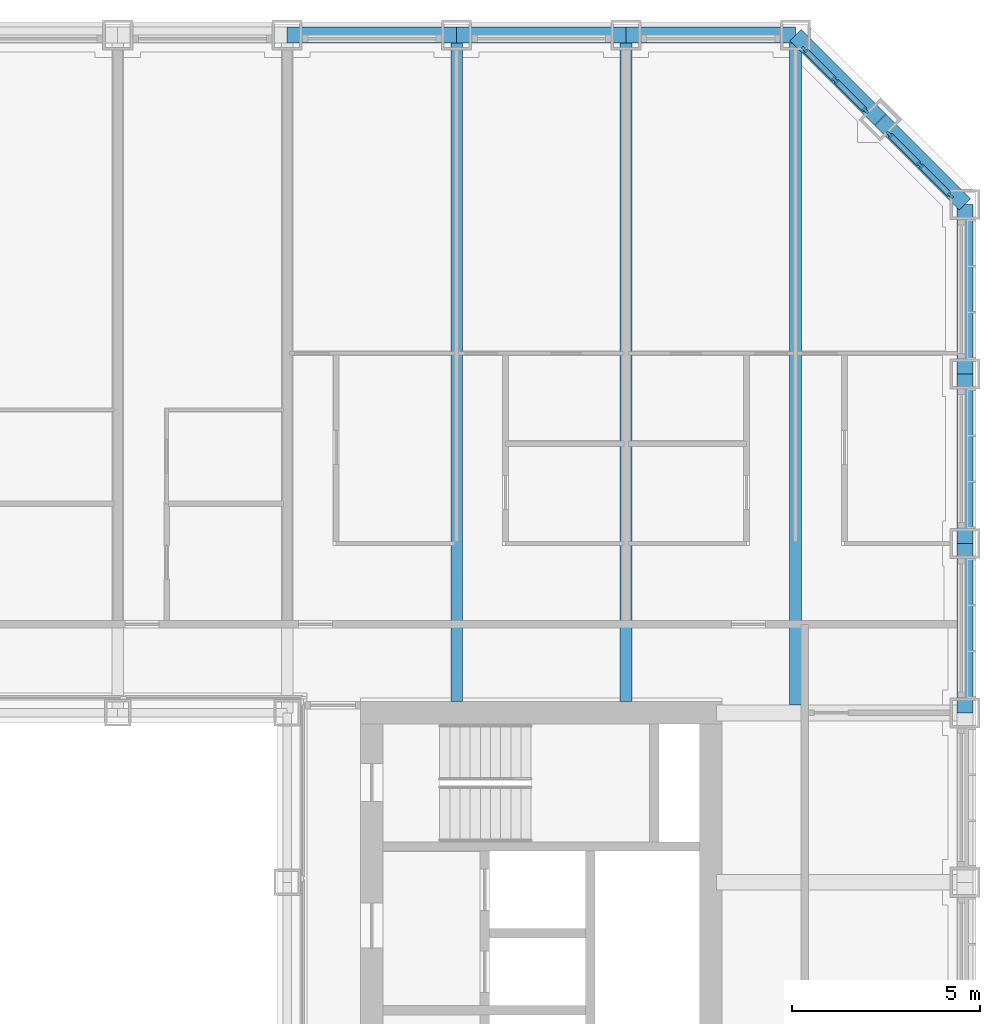
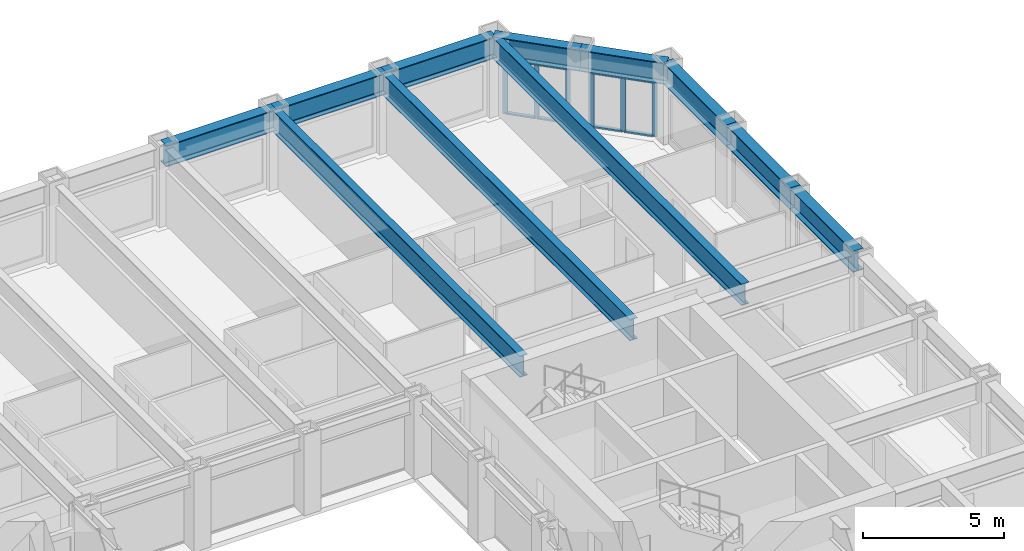
# One storey, part 7 of 21: 14 members, 11 beams, 2 elements without a shape of their own.
"""IFC4 building model written with IfcOpenShell, lengths in metres."""

from ifc_helpers import new_model, si_unit, direction, frame, origin, origin_2d, place, context, subcontext, project, spatial, rectangle, i_section, extrude, material, material_profile, profile_set, type_object, element, aggregate, save


model = new_model("IFC4")

# Units and contexts
model_context = context("Model", 3, precision=1e-05, world=origin(), true_north=direction((0.0, 1.0)))
body_context = subcontext(model_context, "Body", "Model", "MODEL_VIEW")
ifc_project = project(units=[si_unit("LENGTHUNIT", "METRE"), si_unit("AREAUNIT", "SQUARE_METRE"), si_unit("VOLUMEUNIT", "CUBIC_METRE"), si_unit("PLANEANGLEUNIT", "RADIAN"), si_unit("MASSUNIT", "GRAM", prefix="KILO")], contexts=[model_context])

# Site, building, storey
site_placement = place(None, origin())
site = spatial("IfcSite", under=ifc_project, at=site_placement, CompositionType="ELEMENT")
building_placement = place(site_placement, origin())
building = spatial("IfcBuilding", under=site, at=building_placement, Name="Msasa Ring Tower", CompositionType="ELEMENT")
storey_placement = place(building_placement, frame((0.0, 0.0, 44.0)))
storey = spatial("IfcBuildingStorey", under=building, at=storey_placement, Name="L10", CompositionType="ELEMENT", Elevation=44.0)

# Curtain wall, members
ifc_material_1 = material(Name="Aluminium curtain wall with clear glass", Category="aluminium")
curtain_wall_type = type_object("IfcCurtainWallType", Name="CW-C CHAMFER CORNER CURTAIN WALL", PredefinedType="NOTDEFINED", material=ifc_material_1)
curtain_wall_1_placement = place(storey_placement, origin())
curtain_wall_1 = element("IfcCurtainWall", 1, at=curtain_wall_1_placement, inside=storey, type_object=curtain_wall_type, Name="Chamfer corner curtain wall NE L10", PredefinedType="NOTDEFINED")
ifc_material_2 = material(Name="Aluminium mullion", Category="aluminium")
ifc_material_profile_1 = material_profile(ifc_material_2, rectangle(XDim=0.06494140625, YDim=0.179931640625, at=origin_2d()), Name="AL 65x180")
ifc_profile_set_1 = profile_set([ifc_material_profile_1], Name="Aluminium mullion")
member_type_1 = type_object("IfcMemberType", Name="CW-C MULLION 65x180", PredefinedType="MULLION", material=ifc_profile_set_1)
member_1_placement = place(storey_placement, frame((22.119873046875, 22.73876953125, 0.0), z_axis=(0.0, 0.0, 1.0), x_axis=(-0.707106781187, -0.707106781187, 0.0)))
member_1 = element("IfcMember", 2, at=member_1_placement, type_object=member_type_1, Name="CW-C mullion 1", PredefinedType="MULLION", context=body_context, shape_type="SweptSolid", body=[
    extrude(rectangle(XDim=0.06494140625, YDim=0.179931640625, at=origin_2d()), origin(), (0.0, 0.0, 1.0), 2.37890625),
])
member_2_placement = place(storey_placement, frame((21.30419921875, 23.55419921875, 0.0), z_axis=(0.0, 0.0, 1.0), x_axis=(-0.707106781187, -0.707106781187, 0.0)))
member_2 = element("IfcMember", 3, at=member_2_placement, type_object=member_type_1, Name="CW-C mullion 2", PredefinedType="MULLION", context=body_context, shape_type="SweptSolid", body=[
    extrude(rectangle(XDim=0.06494140625, YDim=0.179931640625, at=origin_2d()), origin(), (0.0, 0.0, 1.0), 2.37890625),
])
member_3_placement = place(storey_placement, frame((20.48876953125, 24.369873046875, 0.0), z_axis=(0.0, 0.0, 1.0), x_axis=(-0.707106781187, -0.707106781187, 0.0)))
member_3 = element("IfcMember", 4, at=member_3_placement, type_object=member_type_1, Name="CW-C mullion 3", PredefinedType="MULLION", context=body_context, shape_type="SweptSolid", body=[
    extrude(rectangle(XDim=0.06494140625, YDim=0.179931640625, at=origin_2d()), origin(), (0.0, 0.0, 1.0), 2.37890625),
])

curtain_wall_2_placement = place(storey_placement, origin())
curtain_wall_2 = element("IfcCurtainWall", 5, at=curtain_wall_2_placement, inside=storey, type_object=curtain_wall_type, Name="Chamfer corner curtain wall NE L10", PredefinedType="NOTDEFINED")
member_4_placement = place(storey_placement, frame((24.369873046875, 20.48876953125, 0.0), z_axis=(0.0, 0.0, 1.0), x_axis=(-0.707106781187, -0.707106781187, 0.0)))
member_4 = element("IfcMember", 6, at=member_4_placement, type_object=member_type_1, Name="CW-C mullion 1", PredefinedType="MULLION", context=body_context, shape_type="SweptSolid", body=[
    extrude(rectangle(XDim=0.06494140625, YDim=0.179931640625, at=origin_2d()), origin(), (0.0, 0.0, 1.0), 2.37890625),
])
member_5_placement = place(storey_placement, frame((23.55419921875, 21.30419921875, 0.0), z_axis=(0.0, 0.0, 1.0), x_axis=(-0.707106781187, -0.707106781187, 0.0)))
member_5 = element("IfcMember", 7, at=member_5_placement, type_object=member_type_1, Name="CW-C mullion 2", PredefinedType="MULLION", context=body_context, shape_type="SweptSolid", body=[
    extrude(rectangle(XDim=0.06494140625, YDim=0.179931640625, at=origin_2d()), origin(), (0.0, 0.0, 1.0), 2.37890625),
])
member_6_placement = place(storey_placement, frame((22.73876953125, 22.119873046875, 0.0), z_axis=(0.0, 0.0, 1.0), x_axis=(-0.707106781187, -0.707106781187, 0.0)))
member_6 = element("IfcMember", 8, at=member_6_placement, type_object=member_type_1, Name="CW-C mullion 3", PredefinedType="MULLION", context=body_context, shape_type="SweptSolid", body=[
    extrude(rectangle(XDim=0.06494140625, YDim=0.179931640625, at=origin_2d()), origin(), (0.0, 0.0, 1.0), 2.37890625),
])

# Member
ifc_material_3 = material(Name="Aluminium transom", Category="aluminium")
ifc_material_profile_2 = material_profile(ifc_material_3, rectangle(XDim=0.139892578125, YDim=0.06494140625, at=origin_2d()), Name="AL 65x140")
ifc_profile_set_2 = profile_set([ifc_material_profile_2], Name="Aluminium transom")
member_type_2 = type_object("IfcMemberType", Name="CW-C TRANSOM 65x140", PredefinedType="USERDEFINED", material=ifc_profile_set_2)
member_7_placement = place(storey_placement, frame((22.096923828125, 22.76171875, 0.032470703125), z_axis=(-0.707106781187, 0.707106781187, 0.0), x_axis=(-0.707106781187, -0.707106781187, 0.0)))
member_7 = element("IfcMember", 9, at=member_7_placement, type_object=member_type_2, Name="CW-C transom 1.1", ObjectType="TRANSOM", PredefinedType="USERDEFINED", context=body_context, shape_type="SweptSolid", body=[
    extrude(rectangle(XDim=0.139892578125, YDim=0.06494140625, at=origin_2d()), origin(), (0.0, 0.0, 1.0), 1.08837890625),
])

member_8_placement = place(storey_placement, frame((22.096923828125, 22.76171875, 2.346435546875), z_axis=(-0.707106781187, 0.707106781187, 0.0), x_axis=(-0.707106781187, -0.707106781187, 0.0)))
member_8 = element("IfcMember", 10, at=member_8_placement, type_object=member_type_2, Name="CW-C transom 1.2", ObjectType="TRANSOM", PredefinedType="USERDEFINED", context=body_context, shape_type="SweptSolid", body=[
    extrude(rectangle(XDim=0.139892578125, YDim=0.06494140625, at=origin_2d()), origin(), (0.0, 0.0, 1.0), 1.08837890625),
])

member_9_placement = place(storey_placement, frame((21.28125, 23.577392578125, 0.032470703125), z_axis=(-0.707106781187, 0.707106781187, 0.0), x_axis=(-0.707106781187, -0.707106781187, 0.0)))
member_9 = element("IfcMember", 11, at=member_9_placement, type_object=member_type_2, Name="CW-C transom 2.1", ObjectType="TRANSOM", PredefinedType="USERDEFINED", context=body_context, shape_type="SweptSolid", body=[
    extrude(rectangle(XDim=0.139892578125, YDim=0.06494140625, at=origin_2d()), origin(), (0.0, 0.0, 1.0), 1.08837890625),
])

member_10_placement = place(storey_placement, frame((21.28125, 23.577392578125, 2.346435546875), z_axis=(-0.707106781187, 0.707106781187, 0.0), x_axis=(-0.707106781187, -0.707106781187, 0.0)))
member_10 = element("IfcMember", 12, at=member_10_placement, type_object=member_type_2, Name="CW-C transom 2.2", ObjectType="TRANSOM", PredefinedType="USERDEFINED", context=body_context, shape_type="SweptSolid", body=[
    extrude(rectangle(XDim=0.139892578125, YDim=0.06494140625, at=origin_2d()), origin(), (0.0, 0.0, 1.0), 1.08837890625),
])

aggregate(curtain_wall_1, [member_1, member_2, member_3, member_7, member_8, member_9, member_10])

member_11_placement = place(storey_placement, frame((24.346923828125, 20.51171875, 0.032470703125), z_axis=(-0.707106781187, 0.707106781187, 0.0), x_axis=(-0.707106781187, -0.707106781187, 0.0)))
member_11 = element("IfcMember", 13, at=member_11_placement, type_object=member_type_2, Name="CW-C transom 1.1", ObjectType="TRANSOM", PredefinedType="USERDEFINED", context=body_context, shape_type="SweptSolid", body=[
    extrude(rectangle(XDim=0.139892578125, YDim=0.06494140625, at=origin_2d()), origin(), (0.0, 0.0, 1.0), 1.08837890625),
])

member_12_placement = place(storey_placement, frame((24.346923828125, 20.51171875, 2.346435546875), z_axis=(-0.707106781187, 0.707106781187, 0.0), x_axis=(-0.707106781187, -0.707106781187, 0.0)))
member_12 = element("IfcMember", 14, at=member_12_placement, type_object=member_type_2, Name="CW-C transom 1.2", ObjectType="TRANSOM", PredefinedType="USERDEFINED", context=body_context, shape_type="SweptSolid", body=[
    extrude(rectangle(XDim=0.139892578125, YDim=0.06494140625, at=origin_2d()), origin(), (0.0, 0.0, 1.0), 1.08837890625),
])

member_13_placement = place(storey_placement, frame((23.53125, 21.327392578125, 0.032470703125), z_axis=(-0.707106781187, 0.707106781187, 0.0), x_axis=(-0.707106781187, -0.707106781187, 0.0)))
member_13 = element("IfcMember", 15, at=member_13_placement, type_object=member_type_2, Name="CW-C transom 2.1", ObjectType="TRANSOM", PredefinedType="USERDEFINED", context=body_context, shape_type="SweptSolid", body=[
    extrude(rectangle(XDim=0.139892578125, YDim=0.06494140625, at=origin_2d()), origin(), (0.0, 0.0, 1.0), 1.08837890625),
])

member_14_placement = place(storey_placement, frame((23.53125, 21.327392578125, 2.346435546875), z_axis=(-0.707106781187, 0.707106781187, 0.0), x_axis=(-0.707106781187, -0.707106781187, 0.0)))
member_14 = element("IfcMember", 16, at=member_14_placement, type_object=member_type_2, Name="CW-C transom 2.2", ObjectType="TRANSOM", PredefinedType="USERDEFINED", context=body_context, shape_type="SweptSolid", body=[
    extrude(rectangle(XDim=0.139892578125, YDim=0.06494140625, at=origin_2d()), origin(), (0.0, 0.0, 1.0), 1.08837890625),
])

aggregate(curtain_wall_2, [member_4, member_5, member_6, member_11, member_12, member_13, member_14])

# Beams
ifc_material_4 = material(Name="Steel S355", Category="steel")
ifc_material_profile_3 = material_profile(ifc_material_4, i_section(OverallWidth=0.3076171875, OverallDepth=0.926513671875, WebThickness=0.01953125, FlangeThickness=0.031982421875, FilletRadius=0.01904296875, at=origin_2d()), Name="UB 914x305x289")
ifc_profile_set_3 = profile_set([ifc_material_profile_3], Name="Steel S355")
beam_type_1 = type_object("IfcBeamType", Name="FB3 UB 914x305x289", PredefinedType="BEAM", material=ifc_profile_set_3)
for number, where, z_axis, x_axis, name in (
    (17, (11.25, 24.75, 2.836669921875), (0.0, -1.0, 0.0), (1.0, 0.0, 0.0), "Floor beam N+11.25 under L11"),
    (18, (15.75, 24.75, 2.836669921875), (0.0, -1.0, 0.0), (1.0, 0.0, 0.0), "Floor beam N+15.75 under L11"),
):
    element("IfcBeam", number, at=place(storey_placement, frame(where, z_axis=z_axis, x_axis=x_axis)), inside=storey, type_object=beam_type_1, Name=name, PredefinedType="BEAM", context=body_context, shape_type="SweptSolid", body=[
        extrude(i_section(OverallWidth=0.3076171875, OverallDepth=0.926513671875, WebThickness=0.01953125, FlangeThickness=0.031982421875, FilletRadius=0.01904296875, at=origin_2d()), origin(), (0.0, 0.0, 1.0), 17.699951171875),
    ])
beam_placement = place(storey_placement, frame((20.25, 24.75, 2.836669921875), z_axis=(0.0, -1.0, 0.0), x_axis=(1.0, 0.0, 0.0)))
element("IfcBeam", 19, at=beam_placement, inside=storey, type_object=beam_type_1, Name="Floor beam N+20.25 under L11", PredefinedType="BEAM", context=body_context, shape_type="SweptSolid", body=[
    extrude(i_section(OverallWidth=0.3076171875, OverallDepth=0.926513671875, WebThickness=0.01953125, FlangeThickness=0.031982421875, FilletRadius=0.01904296875, at=origin_2d()), origin(), (0.0, 0.0, 1.0), 17.789794921875),
])
ifc_material_5 = material(Name="Steel S355", Category="steel")
ifc_material_profile_4 = material_profile(ifc_material_5, i_section(OverallWidth=0.42041015625, OverallDepth=0.9208984375, WebThickness=0.021484375, FlangeThickness=0.03662109375, FilletRadius=0.024169921875, at=origin_2d()), Name="UB 914x419x388")
ifc_profile_set_4 = profile_set([ifc_material_profile_4], Name="Steel S355")
beam_type_2 = type_object("IfcBeamType", Name="SB1 UB 914x419x388", PredefinedType="SPANDREL", material=ifc_profile_set_4)
for number, where, z_axis, x_axis, name in (
    (20, (24.75, 6.75, 2.839599609375), (0.0, 1.0, 0.0), (-1.0, 0.0, 0.0), "Spandrel E+6.75 to E+11.25 under L11"),
    (21, (24.75, 11.25, 2.839599609375), (0.0, 1.0, 0.0), (-1.0, 0.0, 0.0), "Spandrel E+11.25 to E+15.75 under L11"),
    (22, (24.75, 15.75, 2.839599609375), (0.0, 1.0, 0.0), (-1.0, 0.0, 0.0), "Spandrel E+15.75 to E+20.25 under L11"),
):
    element("IfcBeam", number, at=place(storey_placement, frame(where, z_axis=z_axis, x_axis=x_axis)), inside=storey, type_object=beam_type_2, Name=name, PredefinedType="SPANDREL", context=body_context, shape_type="SweptSolid", body=[
        extrude(i_section(OverallWidth=0.42041015625, OverallDepth=0.9208984375, WebThickness=0.021484375, FlangeThickness=0.03662109375, FilletRadius=0.024169921875, at=origin_2d()), origin(), (0.0, 0.0, 1.0), 4.5),
    ])
for number, where, z_axis, x_axis, name in (
    (23, (24.75, 20.25, 2.839599609375), (-0.707106781187, 0.707106781187, 0.0), (-0.707106781187, -0.707106781187, 0.0), "Spandrel E+20.25 to NE under L11"),
    (24, (22.5, 22.5, 2.839599609375), (-0.707106781187, 0.707106781187, 0.0), (-0.707106781187, -0.707106781187, 0.0), "Spandrel NE to N+20.25 under L11"),
):
    element("IfcBeam", number, at=place(storey_placement, frame(where, z_axis=z_axis, x_axis=x_axis)), inside=storey, type_object=beam_type_2, Name=name, PredefinedType="SPANDREL", context=body_context, shape_type="SweptSolid", body=[
        extrude(i_section(OverallWidth=0.42041015625, OverallDepth=0.9208984375, WebThickness=0.021484375, FlangeThickness=0.03662109375, FilletRadius=0.024169921875, at=origin_2d()), origin(), (0.0, 0.0, 1.0), 3.181884765625),
    ])
for number, where, z_axis, x_axis, name in (
    (25, (20.25, 24.75, 2.839599609375), (-1.0, 0.0, 0.0), (0.0, -1.0, 0.0), "Spandrel N+20.25 to N+15.75 under L11"),
    (26, (15.75, 24.75, 2.839599609375), (-1.0, 0.0, 0.0), (0.0, -1.0, 0.0), "Spandrel N+15.75 to N+11.25 under L11"),
    (27, (11.25, 24.75, 2.839599609375), (-1.0, 0.0, 0.0), (0.0, -1.0, 0.0), "Spandrel N+11.25 to N+6.75 under L11"),
):
    element("IfcBeam", number, at=place(storey_placement, frame(where, z_axis=z_axis, x_axis=x_axis)), inside=storey, type_object=beam_type_2, Name=name, PredefinedType="SPANDREL", context=body_context, shape_type="SweptSolid", body=[
        extrude(i_section(OverallWidth=0.42041015625, OverallDepth=0.9208984375, WebThickness=0.021484375, FlangeThickness=0.03662109375, FilletRadius=0.024169921875, at=origin_2d()), origin(), (0.0, 0.0, 1.0), 4.5),
    ])

save(model, "model.ifc")
